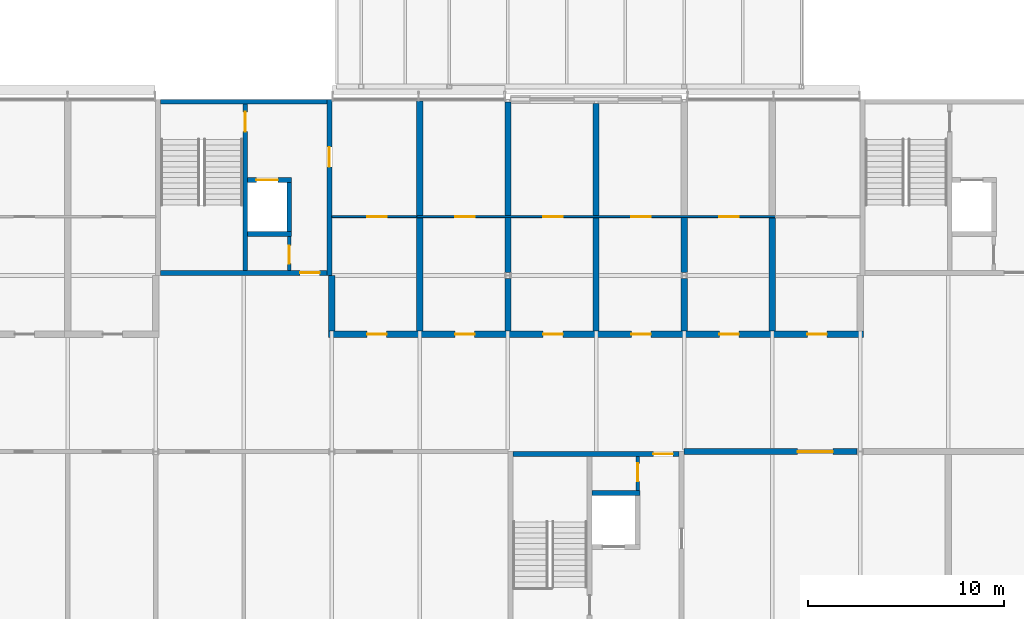
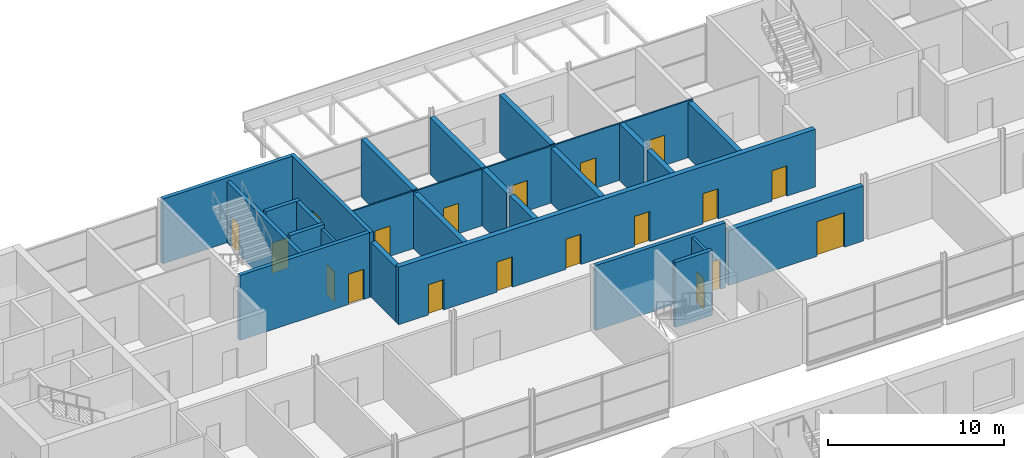
# One storey, part 78 of 97: 26 walls, 19 doors, 19 openings.
"""IFC4 building model written with IfcOpenShell, lengths in metres."""

from ifc_helpers import new_model, si_unit, direction, frame, frame_2d, origin, place, context, subcontext, project, spatial, rectangle, extrude, material, layer, layer_set, type_object, element, fill, save


model = new_model("IFC4")

# Units and contexts
model_context = context("Model", 3, precision=1e-05, world=origin(), true_north=direction((0.0, 1.0)))
body_context = subcontext(model_context, "Body", "Model", "MODEL_VIEW")
ifc_project = project(units=[si_unit("LENGTHUNIT", "METRE"), si_unit("AREAUNIT", "SQUARE_METRE"), si_unit("VOLUMEUNIT", "CUBIC_METRE"), si_unit("PLANEANGLEUNIT", "RADIAN"), si_unit("MASSUNIT", "GRAM", prefix="KILO")], contexts=[model_context])

# Site, building, storey
site_placement = place(None, origin())
site = spatial("IfcSite", under=ifc_project, at=site_placement, CompositionType="ELEMENT")
building_placement = place(site_placement, origin())
building = spatial("IfcBuilding", under=site, at=building_placement, Name="Corbel Yard City Hall", CompositionType="ELEMENT")
storey_placement = place(building_placement, frame((0.0, 0.0, 6.0)))
storey = spatial("IfcBuildingStorey", under=building, at=storey_placement, Name="L01", CompositionType="ELEMENT", Elevation=6.0)

# Wall, opening, door
ifc_material_1 = material(Name="Concrete N50 (50 MPa)", Category="concrete")
ifc_layer_1 = layer(ifc_material_1, 0.25)
ifc_layer_set_1 = layer_set([ifc_layer_1], Name="Concrete N50 (50 MPa)")
wall_type_1 = type_object("IfcWallType", Name="Core cell wall 250", PredefinedType="SHEAR", material=ifc_layer_set_1)
wall_1_placement = place(storey_placement, frame((71.875, 108.0, 0.0), z_axis=(0.0, 0.0, 1.0), x_axis=(0.0, 1.0, 0.0)))
wall_1 = element("IfcWall", 1, at=wall_1_placement, inside=storey, type_object=wall_type_1, Name="Core PC-N1 east wall", PredefinedType="SHEAR", context=body_context, shape_type="SweptSolid", body=[
    extrude(rectangle(XDim=9.0, YDim=0.25, at=frame_2d((4.5, 0.0))), origin(), (0.0, 0.0, 1.0), 4.5),
])
opening_1_placement = place(wall_1_placement, frame((5.550048828125, 0.0, 0.0)))
opening_1 = element("IfcOpeningElement", 2, at=opening_1_placement, cuts=wall_1, Name="Opening L01-154", PredefinedType="OPENING", context=body_context, shape_type="SweptSolid", body=[
    extrude(rectangle(XDim=1.0, YDim=2.10009765625, at=frame_2d((0.5, 1.050048828125))), frame((0.0, 0.135009765625, 0.0), z_axis=(0.0, -1.0, 0.0), x_axis=(1.0, 0.0, 0.0)), (0.0, 0.0, 1.0), 0.27001953125),
])
ifc_material_2 = material(Name="Steel Grade G250", Category="steel")
door_type_1 = type_object("IfcDoorType", Name="FS1", OperationType="SINGLE_SWING_LEFT", PredefinedType="DOOR", material=ifc_material_2)
door_1_placement = place(opening_1_placement, frame((1.0, 0.0, 0.0), z_axis=(0.0, 0.0, 1.0), x_axis=(-1.0, 0.0, 0.0)))
door_1 = element("IfcDoor", 3, at=door_1_placement, inside=storey, type_object=door_type_1, Name="Door Lift Lobby", OperationType="SINGLE_SWING_RIGHT", OverallHeight=2.10009765625, OverallWidth=1.0, PredefinedType="DOOR", context=body_context, shape_type="SweptSolid", body=[
    extrude(rectangle(XDim=1.0, YDim=2.10009765625, at=frame_2d((0.5, 1.050048828125))), frame((0.0, 0.02490234375, 0.0), z_axis=(0.0, -1.0, 0.0), x_axis=(1.0, 0.0, 0.0)), (0.0, 0.0, 1.0), 0.050048828125),
])
fill(opening_1, door_1)

wall_2_placement = place(storey_placement, frame((63.25, 108.125, 0.0), z_axis=(0.0, 0.0, 1.0), x_axis=(1.0, 0.0, 0.0)))
wall_2 = element("IfcWall", 4, at=wall_2_placement, inside=storey, type_object=wall_type_1, Name="Core PC-N1 south wall", PredefinedType="SHEAR", context=body_context, shape_type="SweptSolid", body=[
    extrude(rectangle(XDim=8.5, YDim=0.25, at=frame_2d((4.25, 0.0))), origin(), (0.0, 0.0, 1.0), 4.5),
])
opening_2_placement = place(wall_2_placement, frame((7.125, 0.0, 0.0)))
opening_2 = element("IfcOpeningElement", 5, at=opening_2_placement, cuts=wall_2, Name="Opening L01-153", PredefinedType="OPENING", context=body_context, shape_type="SweptSolid", body=[
    extrude(rectangle(XDim=1.0, YDim=2.10009765625, at=frame_2d((0.5, 1.050048828125))), frame((0.0, 0.135009765625, 0.0), z_axis=(0.0, -1.0, 0.0), x_axis=(1.0, 0.0, 0.0)), (0.0, 0.0, 1.0), 0.27001953125),
])
door_2_placement = place(opening_2_placement, origin())
door_2 = element("IfcDoor", 6, at=door_2_placement, inside=storey, type_object=door_type_1, Name="Door Lift Lobby", OperationType="SINGLE_SWING_RIGHT", OverallHeight=2.10009765625, OverallWidth=1.0, PredefinedType="DOOR", context=body_context, shape_type="SweptSolid", body=[
    extrude(rectangle(XDim=1.0, YDim=2.10009765625, at=frame_2d((0.5, 1.050048828125))), frame((0.0, 0.02490234375, 0.0), z_axis=(0.0, -1.0, 0.0), x_axis=(1.0, 0.0, 0.0)), (0.0, 0.0, 1.0), 0.050048828125),
])
fill(opening_2, door_2)

# Wall
wall_3_placement = place(storey_placement, frame((63.25, 116.875, 0.0), z_axis=(0.0, 0.0, 1.0), x_axis=(1.0, 0.0, 0.0)))
element("IfcWall", 7, at=wall_3_placement, inside=storey, type_object=wall_type_1, Name="Core PC-N1 north wall", PredefinedType="SHEAR", context=body_context, shape_type="SweptSolid", body=[
    extrude(rectangle(XDim=8.5, YDim=0.25, at=frame_2d((4.25, 0.0))), origin(), (0.0, 0.0, 1.0), 4.5),
])

# Wall, opening, door
wall_4_placement = place(storey_placement, frame((81.25, 98.875, 0.0), z_axis=(0.0, 0.0, 1.0), x_axis=(1.0, 0.0, 0.0)))
wall_4 = element("IfcWall", 8, at=wall_4_placement, inside=storey, type_object=wall_type_1, Name="Core PC-N5 north wall", PredefinedType="SHEAR", context=body_context, shape_type="SweptSolid", body=[
    extrude(rectangle(XDim=8.5, YDim=0.25, at=frame_2d((4.25, 0.0))), origin(), (0.0, 0.0, 1.0), 4.5),
])
opening_3_placement = place(wall_4_placement, frame((7.175048828125, 0.0, 0.0)))
opening_3 = element("IfcOpeningElement", 9, at=opening_3_placement, cuts=wall_4, Name="Opening L01-161", PredefinedType="OPENING", context=body_context, shape_type="SweptSolid", body=[
    extrude(rectangle(XDim=1.0, YDim=2.10009765625, at=frame_2d((0.5, 1.050048828125))), frame((0.0, 0.135009765625, 0.0), z_axis=(0.0, -1.0, 0.0), x_axis=(1.0, 0.0, 0.0)), (0.0, 0.0, 1.0), 0.27001953125),
])
door_3_placement = place(opening_3_placement, frame((1.0, 0.0, 0.0), z_axis=(0.0, 0.0, 1.0), x_axis=(-1.0, 0.0, 0.0)))
door_3 = element("IfcDoor", 10, at=door_3_placement, inside=storey, type_object=door_type_1, Name="Door Lift Lobby", OperationType="SINGLE_SWING_LEFT", OverallHeight=2.10009765625, OverallWidth=1.0, PredefinedType="DOOR", context=body_context, shape_type="SweptSolid", body=[
    extrude(rectangle(XDim=1.0, YDim=2.10009765625, at=frame_2d((0.5, 1.050048828125))), frame((0.0, 0.02490234375, 0.0), z_axis=(0.0, -1.0, 0.0), x_axis=(1.0, 0.0, 0.0)), (0.0, 0.0, 1.0), 0.050048828125),
])
fill(opening_3, door_3)

ifc_material_3 = material(Name="Concrete N40 (40 MPa)", Category="concrete")
ifc_layer_2 = layer(ifc_material_3, 0.25)
ifc_layer_set_2 = layer_set([ifc_layer_2], Name="Concrete N40 (40 MPa)")
wall_type_2 = type_object("IfcWallType", Name="IW2", PredefinedType="SOLIDWALL", material=ifc_layer_set_2)
wall_5_placement = place(storey_placement, frame((67.574951171875, 116.75, 0.0), z_axis=(0.0, 0.0, 1.0), x_axis=(0.0, -1.0, 0.0)))
wall_5 = element("IfcWall", 11, at=wall_5_placement, inside=storey, type_object=wall_type_2, Name="Stair enclosure wall", PredefinedType="SOLIDWALL", context=body_context, shape_type="SweptSolid", body=[
    extrude(rectangle(XDim=8.5, YDim=0.25, at=frame_2d((4.25, 0.0))), origin(), (0.0, 0.0, 1.0), 4.25),
])
opening_4_placement = place(wall_5_placement, frame((0.39990234375, 0.0, 0.0)))
opening_4 = element("IfcOpeningElement", 12, at=opening_4_placement, cuts=wall_5, Name="Opening L01-141", PredefinedType="OPENING", context=body_context, shape_type="SweptSolid", body=[
    extrude(rectangle(XDim=1.0, YDim=2.10009765625, at=frame_2d((0.5, 1.050048828125))), frame((0.0, 0.135009765625, 0.0), z_axis=(0.0, -1.0, 0.0), x_axis=(1.0, 0.0, 0.0)), (0.0, 0.0, 1.0), 0.27001953125),
])
door_4_placement = place(opening_4_placement, frame((1.0, 0.0, 0.0), z_axis=(0.0, 0.0, 1.0), x_axis=(-1.0, 0.0, 0.0)))
door_4 = element("IfcDoor", 13, at=door_4_placement, inside=storey, type_object=door_type_1, Name="Door Exit Stair 16", OperationType="SINGLE_SWING_RIGHT", OverallHeight=2.10009765625, OverallWidth=1.0, PredefinedType="DOOR", context=body_context, shape_type="SweptSolid", body=[
    extrude(rectangle(XDim=1.0, YDim=2.10009765625, at=frame_2d((0.5, 1.050048828125))), frame((0.0, 0.02490234375, 0.0), z_axis=(0.0, -1.0, 0.0), x_axis=(1.0, 0.0, 0.0)), (0.0, 0.0, 1.0), 0.050048828125),
])
fill(opening_4, door_4)

# Wall
wall_6_placement = place(storey_placement, frame((67.699951171875, 110.125, 0.0), z_axis=(0.0, 0.0, 1.0), x_axis=(1.0, 0.0, 0.0)))
element("IfcWall", 14, at=wall_6_placement, inside=storey, type_object=wall_type_2, Name="Lift LP16 shaft wall", PredefinedType="SOLIDWALL", context=body_context, shape_type="SweptSolid", body=[
    extrude(rectangle(XDim=2.25, YDim=0.25, at=frame_2d((1.125, 0.0))), origin(), (0.0, 0.0, 1.0), 4.5),
])

# Wall, opening, door
wall_7_placement = place(storey_placement, frame((67.699951171875, 112.875, 0.0), z_axis=(0.0, 0.0, 1.0), x_axis=(1.0, 0.0, 0.0)))
wall_7 = element("IfcWall", 15, at=wall_7_placement, inside=storey, type_object=wall_type_2, Name="Lift LP16 shaft wall", PredefinedType="SOLIDWALL", context=body_context, shape_type="SweptSolid", body=[
    extrude(rectangle(XDim=2.25, YDim=0.25, at=frame_2d((1.125, 0.0))), origin(), (0.0, 0.0, 1.0), 4.5),
])
opening_5_placement = place(wall_7_placement, frame((0.449951171875, 0.0, 0.0)))
opening_5 = element("IfcOpeningElement", 16, at=opening_5_placement, cuts=wall_7, Name="Opening L01-135", PredefinedType="OPENING", context=body_context, shape_type="SweptSolid", body=[
    extrude(rectangle(XDim=1.10009765625, YDim=2.10009765625, at=frame_2d((0.550048828125, 1.050048828125))), frame((0.0, 0.135009765625, 0.0), z_axis=(0.0, -1.0, 0.0), x_axis=(1.0, 0.0, 0.0)), (0.0, 0.0, 1.0), 0.27001953125),
])
ifc_material_4 = material(Name="Stainless steel Grade 316", Category="steel")
door_type_2 = type_object("IfcDoorType", Name="LD1", OperationType="DOUBLE_DOOR_SLIDING", PredefinedType="DOOR", material=ifc_material_4)
door_5_placement = place(opening_5_placement, origin())
door_5 = element("IfcDoor", 17, at=door_5_placement, inside=storey, type_object=door_type_2, Name="Lift LP16 landing door", OperationType="DOUBLE_DOOR_SLIDING", OverallHeight=2.10009765625, OverallWidth=1.10009765625, PredefinedType="DOOR", context=body_context, shape_type="SweptSolid", body=[
    extrude(rectangle(XDim=1.10009765625, YDim=2.10009765625, at=frame_2d((0.550048828125, 1.050048828125))), frame((0.0, 0.02490234375, 0.0), z_axis=(0.0, -1.0, 0.0), x_axis=(1.0, 0.0, 0.0)), (0.0, 0.0, 1.0), 0.050048828125),
])
fill(opening_5, door_5)

# Walls
wall_8_placement = place(storey_placement, frame((69.824951171875, 110.25, 0.0), z_axis=(0.0, 0.0, 1.0), x_axis=(0.0, 1.0, 0.0)))
element("IfcWall", 18, at=wall_8_placement, inside=storey, type_object=wall_type_2, Name="Lift LP16 shaft wall", PredefinedType="SOLIDWALL", context=body_context, shape_type="SweptSolid", body=[
    extrude(rectangle(XDim=2.5, YDim=0.25, at=frame_2d((1.25, 0.0))), origin(), (0.0, 0.0, 1.0), 4.5),
])
wall_9_placement = place(storey_placement, frame((85.300048828125, 96.875, 0.0), z_axis=(0.0, 0.0, 1.0), x_axis=(1.0, 0.0, 0.0)))
element("IfcWall", 19, at=wall_9_placement, inside=storey, type_object=wall_type_2, Name="Lift LP20 shaft wall", PredefinedType="SOLIDWALL", context=body_context, shape_type="SweptSolid", body=[
    extrude(rectangle(XDim=2.449951171875, YDim=0.25, at=frame_2d((1.22509765625, 0.0))), origin(), (0.0, 0.0, 1.0), 4.5),
])

# Wall, opening, door
ifc_material_5 = material(Name="Gypsum plasterboard", Category="gypsum")
ifc_layer_3 = layer(ifc_material_5, 0.031982421875)
ifc_material_6 = material(Name="Steel Grade G550 (550 MPa yield)", Category="steel")
ifc_layer_4 = layer(ifc_material_6, 0.260986328125)
ifc_layer_5 = layer(ifc_material_5, 0.031982421875)
ifc_layer_set_3 = layer_set([ifc_layer_3, ifc_layer_4, ifc_layer_5], Name="Steel Grade G550 (550 MPa yield)")
wall_type_3 = type_object("IfcWallType", Name="PT20", PredefinedType="PARTITIONING", material=ifc_layer_set_3)
wall_10_placement = place(storey_placement, frame((90.0, 99.0, 0.0), z_axis=(0.0, 0.0, 1.0), x_axis=(1.0, 0.0, 0.0)))
wall_10 = element("IfcWall", 20, at=wall_10_placement, inside=storey, type_object=wall_type_3, Name="Acoustic partition", PredefinedType="PARTITIONING", context=body_context, shape_type="SweptSolid", body=[
    extrude(rectangle(XDim=8.842529296875, YDim=0.324951171875, at=frame_2d((4.42138671875, 0.0))), origin(), (0.0, 0.0, 1.0), 3.822021484375),
])
opening_6_placement = place(wall_10_placement, frame((5.800048828125, 0.0, 0.0)))
opening_6 = element("IfcOpeningElement", 21, at=opening_6_placement, cuts=wall_10, Name="Opening L01-181", PredefinedType="OPENING", context=body_context, shape_type="SweptSolid", body=[
    extrude(rectangle(XDim=1.800048828125, YDim=2.39990234375, at=frame_2d((0.89990234375, 1.199951171875))), frame((0.0, 0.17236328125, 0.0), z_axis=(0.0, -1.0, 0.0), x_axis=(1.0, 0.0, 0.0)), (0.0, 0.0, 1.0), 0.344970703125),
])
ifc_material_7 = material(Name="Timber", Category="wood")
door_type_3 = type_object("IfcDoorType", Name="D38", OperationType="DOUBLE_DOOR_SINGLE_SWING", PredefinedType="DOOR", material=ifc_material_7)
door_6_placement = place(opening_6_placement, origin())
door_6 = element("IfcDoor", 22, at=door_6_placement, inside=storey, type_object=door_type_3, Name="Door Committee Room 14", OperationType="DOUBLE_DOOR_SINGLE_SWING", OverallHeight=2.39990234375, OverallWidth=1.800048828125, PredefinedType="DOOR", context=body_context, shape_type="SweptSolid", body=[
    extrude(rectangle(XDim=1.800048828125, YDim=2.39990234375, at=frame_2d((0.89990234375, 1.199951171875))), frame((0.0, 0.02490234375, 0.0), z_axis=(0.0, -1.0, 0.0), x_axis=(1.0, 0.0, 0.0)), (0.0, 0.0, 1.0), 0.050048828125),
])
fill(opening_6, door_6)

# Wall, openings, doors
wall_11_placement = place(storey_placement, frame((71.83740234375, 105.0, 0.0), z_axis=(0.0, 0.0, 1.0), x_axis=(1.0, 0.0, 0.0)))
wall_11 = element("IfcWall", 23, at=wall_11_placement, inside=storey, type_object=wall_type_3, Name="Acoustic partition", PredefinedType="PARTITIONING", context=body_context, shape_type="SweptSolid", body=[
    extrude(rectangle(XDim=27.3251953125, YDim=0.324951171875, at=frame_2d((13.66259765625, 0.0))), origin(), (0.0, 0.0, 1.0), 3.993896484375),
])
opening_7_placement = place(wall_11_placement, frame((1.96240234375, 0.0, 0.0)))
opening_7 = element("IfcOpeningElement", 24, at=opening_7_placement, cuts=wall_11, Name="Opening L01-190", PredefinedType="OPENING", context=body_context, shape_type="SweptSolid", body=[
    extrude(rectangle(XDim=1.0, YDim=2.10009765625, at=frame_2d((0.5, 1.050048828125))), frame((0.0, 0.17236328125, 0.0), z_axis=(0.0, -1.0, 0.0), x_axis=(1.0, 0.0, 0.0)), (0.0, 0.0, 1.0), 0.344970703125),
])
opening_8_placement = place(wall_11_placement, frame((6.46240234375, 0.0, 0.0)))
opening_8 = element("IfcOpeningElement", 25, at=opening_8_placement, cuts=wall_11, Name="Opening L01-192", PredefinedType="OPENING", context=body_context, shape_type="SweptSolid", body=[
    extrude(rectangle(XDim=1.0, YDim=2.10009765625, at=frame_2d((0.5, 1.050048828125))), frame((0.0, 0.17236328125, 0.0), z_axis=(0.0, -1.0, 0.0), x_axis=(1.0, 0.0, 0.0)), (0.0, 0.0, 1.0), 0.344970703125),
])
opening_9_placement = place(wall_11_placement, frame((10.96240234375, 0.0, 0.0)))
opening_9 = element("IfcOpeningElement", 26, at=opening_9_placement, cuts=wall_11, Name="Opening L01-194", PredefinedType="OPENING", context=body_context, shape_type="SweptSolid", body=[
    extrude(rectangle(XDim=1.0, YDim=2.10009765625, at=frame_2d((0.5, 1.050048828125))), frame((0.0, 0.17236328125, 0.0), z_axis=(0.0, -1.0, 0.0), x_axis=(1.0, 0.0, 0.0)), (0.0, 0.0, 1.0), 0.344970703125),
])
opening_10_placement = place(wall_11_placement, frame((15.46240234375, 0.0, 0.0)))
opening_10 = element("IfcOpeningElement", 27, at=opening_10_placement, cuts=wall_11, Name="Opening L01-196", PredefinedType="OPENING", context=body_context, shape_type="SweptSolid", body=[
    extrude(rectangle(XDim=1.0, YDim=2.10009765625, at=frame_2d((0.5, 1.050048828125))), frame((0.0, 0.17236328125, 0.0), z_axis=(0.0, -1.0, 0.0), x_axis=(1.0, 0.0, 0.0)), (0.0, 0.0, 1.0), 0.344970703125),
])
opening_11_placement = place(wall_11_placement, frame((19.96240234375, 0.0, 0.0)))
opening_11 = element("IfcOpeningElement", 28, at=opening_11_placement, cuts=wall_11, Name="Opening L01-198", PredefinedType="OPENING", context=body_context, shape_type="SweptSolid", body=[
    extrude(rectangle(XDim=1.0, YDim=2.10009765625, at=frame_2d((0.5, 1.050048828125))), frame((0.0, 0.17236328125, 0.0), z_axis=(0.0, -1.0, 0.0), x_axis=(1.0, 0.0, 0.0)), (0.0, 0.0, 1.0), 0.344970703125),
])
opening_12_placement = place(wall_11_placement, frame((24.46240234375, 0.0, 0.0)))
opening_12 = element("IfcOpeningElement", 29, at=opening_12_placement, cuts=wall_11, Name="Opening L01-200", PredefinedType="OPENING", context=body_context, shape_type="SweptSolid", body=[
    extrude(rectangle(XDim=1.0, YDim=2.10009765625, at=frame_2d((0.5, 1.050048828125))), frame((0.0, 0.17236328125, 0.0), z_axis=(0.0, -1.0, 0.0), x_axis=(1.0, 0.0, 0.0)), (0.0, 0.0, 1.0), 0.344970703125),
])
door_type_4 = type_object("IfcDoorType", Name="D1", OperationType="SINGLE_SWING_LEFT", PredefinedType="DOOR", material=ifc_material_7)
door_7_placement = place(opening_7_placement, origin())
door_7 = element("IfcDoor", 30, at=door_7_placement, inside=storey, type_object=door_type_4, Name="Door Councillor's Assistant Room 03", OperationType="SINGLE_SWING_RIGHT", OverallHeight=2.10009765625, OverallWidth=1.0, PredefinedType="DOOR", context=body_context, shape_type="SweptSolid", body=[
    extrude(rectangle(XDim=1.0, YDim=2.10009765625, at=frame_2d((0.5, 1.050048828125))), frame((0.0, 0.02490234375, 0.0), z_axis=(0.0, -1.0, 0.0), x_axis=(1.0, 0.0, 0.0)), (0.0, 0.0, 1.0), 0.050048828125),
])
fill(opening_7, door_7)
door_8_placement = place(opening_8_placement, origin())
door_8 = element("IfcDoor", 31, at=door_8_placement, inside=storey, type_object=door_type_4, Name="Door Councillor's Assistant Room 04", OperationType="SINGLE_SWING_RIGHT", OverallHeight=2.10009765625, OverallWidth=1.0, PredefinedType="DOOR", context=body_context, shape_type="SweptSolid", body=[
    extrude(rectangle(XDim=1.0, YDim=2.10009765625, at=frame_2d((0.5, 1.050048828125))), frame((0.0, 0.02490234375, 0.0), z_axis=(0.0, -1.0, 0.0), x_axis=(1.0, 0.0, 0.0)), (0.0, 0.0, 1.0), 0.050048828125),
])
fill(opening_8, door_8)
door_9_placement = place(opening_9_placement, origin())
door_9 = element("IfcDoor", 32, at=door_9_placement, inside=storey, type_object=door_type_4, Name="Door Councillor's Assistant Room 05", OperationType="SINGLE_SWING_RIGHT", OverallHeight=2.10009765625, OverallWidth=1.0, PredefinedType="DOOR", context=body_context, shape_type="SweptSolid", body=[
    extrude(rectangle(XDim=1.0, YDim=2.10009765625, at=frame_2d((0.5, 1.050048828125))), frame((0.0, 0.02490234375, 0.0), z_axis=(0.0, -1.0, 0.0), x_axis=(1.0, 0.0, 0.0)), (0.0, 0.0, 1.0), 0.050048828125),
])
fill(opening_9, door_9)
door_10_placement = place(opening_10_placement, origin())
door_10 = element("IfcDoor", 33, at=door_10_placement, inside=storey, type_object=door_type_4, Name="Door Councillor's Assistant Room 06", OperationType="SINGLE_SWING_RIGHT", OverallHeight=2.10009765625, OverallWidth=1.0, PredefinedType="DOOR", context=body_context, shape_type="SweptSolid", body=[
    extrude(rectangle(XDim=1.0, YDim=2.10009765625, at=frame_2d((0.5, 1.050048828125))), frame((0.0, 0.02490234375, 0.0), z_axis=(0.0, -1.0, 0.0), x_axis=(1.0, 0.0, 0.0)), (0.0, 0.0, 1.0), 0.050048828125),
])
fill(opening_10, door_10)
door_11_placement = place(opening_11_placement, origin())
door_11 = element("IfcDoor", 34, at=door_11_placement, inside=storey, type_object=door_type_4, Name="Door Councillor's Assistant Room 07", OperationType="SINGLE_SWING_RIGHT", OverallHeight=2.10009765625, OverallWidth=1.0, PredefinedType="DOOR", context=body_context, shape_type="SweptSolid", body=[
    extrude(rectangle(XDim=1.0, YDim=2.10009765625, at=frame_2d((0.5, 1.050048828125))), frame((0.0, 0.02490234375, 0.0), z_axis=(0.0, -1.0, 0.0), x_axis=(1.0, 0.0, 0.0)), (0.0, 0.0, 1.0), 0.050048828125),
])
fill(opening_11, door_11)
door_12_placement = place(opening_12_placement, origin())
door_12 = element("IfcDoor", 35, at=door_12_placement, inside=storey, type_object=door_type_4, Name="Door Councillor's Assistant Room 08", OperationType="SINGLE_SWING_RIGHT", OverallHeight=2.10009765625, OverallWidth=1.0, PredefinedType="DOOR", context=body_context, shape_type="SweptSolid", body=[
    extrude(rectangle(XDim=1.0, YDim=2.10009765625, at=frame_2d((0.5, 1.050048828125))), frame((0.0, 0.02490234375, 0.0), z_axis=(0.0, -1.0, 0.0), x_axis=(1.0, 0.0, 0.0)), (0.0, 0.0, 1.0), 0.050048828125),
])
fill(opening_12, door_12)

# Walls
wall_12_placement = place(storey_placement, frame((72.0, 105.16259765625, 0.0), z_axis=(0.0, 0.0, 1.0), x_axis=(0.0, 1.0, 0.0)))
element("IfcWall", 36, at=wall_12_placement, inside=storey, type_object=wall_type_3, Name="Acoustic partition", PredefinedType="PARTITIONING", context=body_context, shape_type="SweptSolid", body=[
    extrude(rectangle(XDim=2.83740234375, YDim=0.324951171875, at=frame_2d((1.418701171875, 0.0))), origin(), (0.0, 0.0, 1.0), 3.822021484375),
])
wall_13_placement = place(storey_placement, frame((76.5, 105.16259765625, 0.0), z_axis=(0.0, 0.0, 1.0), x_axis=(0.0, 1.0, 0.0)))
element("IfcWall", 37, at=wall_13_placement, inside=storey, type_object=wall_type_3, Name="Acoustic partition", PredefinedType="PARTITIONING", context=body_context, shape_type="SweptSolid", body=[
    extrude(rectangle(XDim=5.787353515625, YDim=0.324951171875, at=frame_2d((2.8935546875, 0.0))), origin(), (0.0, 0.0, 1.0), 3.822021484375),
])
wall_14_placement = place(storey_placement, frame((76.5, 111.050048828125, 0.0), z_axis=(0.0, 0.0, 1.0), x_axis=(0.0, 1.0, 0.0)))
element("IfcWall", 38, at=wall_14_placement, inside=storey, type_object=wall_type_3, Name="Acoustic partition", PredefinedType="PARTITIONING", context=body_context, shape_type="SweptSolid", body=[
    extrude(rectangle(XDim=5.849853515625, YDim=0.324951171875, at=frame_2d((2.9248046875, 0.0))), origin(), (0.0, 0.0, 1.0), 3.993896484375),
])
wall_15_placement = place(storey_placement, frame((81.0, 105.16259765625, 0.0), z_axis=(0.0, 0.0, 1.0), x_axis=(0.0, 1.0, 0.0)))
element("IfcWall", 39, at=wall_15_placement, inside=storey, type_object=wall_type_3, Name="Acoustic partition", PredefinedType="PARTITIONING", context=body_context, shape_type="SweptSolid", body=[
    extrude(rectangle(XDim=2.679931640625, YDim=0.324951171875, at=frame_2d((1.33984375, 0.0))), origin(), (0.0, 0.0, 1.0), 3.993896484375),
])
wall_16_placement = place(storey_placement, frame((81.0, 108.157470703125, 0.0), z_axis=(0.0, 0.0, 1.0), x_axis=(0.0, 1.0, 0.0)))
element("IfcWall", 40, at=wall_16_placement, inside=storey, type_object=wall_type_3, Name="Acoustic partition", PredefinedType="PARTITIONING", context=body_context, shape_type="SweptSolid", body=[
    extrude(rectangle(XDim=2.79248046875, YDim=0.324951171875, at=frame_2d((1.396240234375, 0.0))), origin(), (0.0, 0.0, 1.0), 3.947021484375),
])
wall_17_placement = place(storey_placement, frame((81.0, 111.050048828125, 0.0), z_axis=(0.0, 0.0, 1.0), x_axis=(0.0, 1.0, 0.0)))
element("IfcWall", 41, at=wall_17_placement, inside=storey, type_object=wall_type_3, Name="Acoustic partition", PredefinedType="PARTITIONING", context=body_context, shape_type="SweptSolid", body=[
    extrude(rectangle(XDim=5.820068359375, YDim=0.324951171875, at=frame_2d((2.91015625, 0.0))), origin(), (0.0, 0.0, 1.0), 3.947021484375),
])
wall_18_placement = place(storey_placement, frame((85.5, 105.16259765625, 0.0), z_axis=(0.0, 0.0, 1.0), x_axis=(0.0, 1.0, 0.0)))
element("IfcWall", 42, at=wall_18_placement, inside=storey, type_object=wall_type_3, Name="Acoustic partition", PredefinedType="PARTITIONING", context=body_context, shape_type="SweptSolid", body=[
    extrude(rectangle(XDim=5.787353515625, YDim=0.324951171875, at=frame_2d((2.8935546875, 0.0))), origin(), (0.0, 0.0, 1.0), 3.822021484375),
])
wall_19_placement = place(storey_placement, frame((85.5, 111.050048828125, 0.0), z_axis=(0.0, 0.0, 1.0), x_axis=(0.0, 1.0, 0.0)))
element("IfcWall", 43, at=wall_19_placement, inside=storey, type_object=wall_type_3, Name="Acoustic partition", PredefinedType="PARTITIONING", context=body_context, shape_type="SweptSolid", body=[
    extrude(rectangle(XDim=5.724853515625, YDim=0.324951171875, at=frame_2d((2.8623046875, 0.0))), origin(), (0.0, 0.0, 1.0), 3.993896484375),
])
wall_20_placement = place(storey_placement, frame((90.0, 105.16259765625, 0.0), z_axis=(0.0, 0.0, 1.0), x_axis=(0.0, 1.0, 0.0)))
element("IfcWall", 44, at=wall_20_placement, inside=storey, type_object=wall_type_3, Name="Acoustic partition", PredefinedType="PARTITIONING", context=body_context, shape_type="SweptSolid", body=[
    extrude(rectangle(XDim=2.679931640625, YDim=0.324951171875, at=frame_2d((1.33984375, 0.0))), origin(), (0.0, 0.0, 1.0), 3.993896484375),
])
wall_21_placement = place(storey_placement, frame((90.0, 108.157470703125, 0.0), z_axis=(0.0, 0.0, 1.0), x_axis=(0.0, 1.0, 0.0)))
element("IfcWall", 45, at=wall_21_placement, inside=storey, type_object=wall_type_3, Name="Acoustic partition", PredefinedType="PARTITIONING", context=body_context, shape_type="SweptSolid", body=[
    extrude(rectangle(XDim=2.79248046875, YDim=0.324951171875, at=frame_2d((1.396240234375, 0.0))), origin(), (0.0, 0.0, 1.0), 3.947021484375),
])
wall_22_placement = place(storey_placement, frame((94.5, 105.16259765625, 0.0), z_axis=(0.0, 0.0, 1.0), x_axis=(0.0, 1.0, 0.0)))
element("IfcWall", 46, at=wall_22_placement, inside=storey, type_object=wall_type_3, Name="Acoustic partition", PredefinedType="PARTITIONING", context=body_context, shape_type="SweptSolid", body=[
    extrude(rectangle(XDim=5.787353515625, YDim=0.324951171875, at=frame_2d((2.8935546875, 0.0))), origin(), (0.0, 0.0, 1.0), 3.822021484375),
])

# Wall, opening, door
ifc_layer_6 = layer(ifc_material_5, 0.01806640625)
ifc_layer_7 = layer(ifc_material_6, 0.06396484375)
ifc_layer_8 = layer(ifc_material_5, 0.01806640625)
ifc_layer_set_4 = layer_set([ifc_layer_6, ifc_layer_7, ifc_layer_8], Name="Steel Grade G550 (550 MPa yield)")
wall_type_4 = type_object("IfcWallType", Name="PT23", PredefinedType="PARTITIONING", material=ifc_layer_set_4)
wall_23_placement = place(storey_placement, frame((72.0, 111.0, 0.0), z_axis=(0.0, 0.0, 1.0), x_axis=(1.0, 0.0, 0.0)))
wall_23 = element("IfcWall", 47, at=wall_23_placement, inside=storey, type_object=wall_type_4, Name="Light partition", PredefinedType="PARTITIONING", context=body_context, shape_type="SweptSolid", body=[
    extrude(rectangle(XDim=4.33740234375, YDim=0.10009765625, at=frame_2d((2.168701171875, 0.0))), origin(), (0.0, 0.0, 1.0), 3.993896484375),
])
opening_13_placement = place(wall_23_placement, frame((1.800048828125, 0.0, 0.0)))
opening_13 = element("IfcOpeningElement", 48, at=opening_13_placement, cuts=wall_23, Name="Opening L01-191", PredefinedType="OPENING", context=body_context, shape_type="SweptSolid", body=[
    extrude(rectangle(XDim=1.0, YDim=2.10009765625, at=frame_2d((0.5, 1.050048828125))), frame((0.0, 0.06005859375, 0.0), z_axis=(0.0, -1.0, 0.0), x_axis=(1.0, 0.0, 0.0)), (0.0, 0.0, 1.0), 0.1201171875),
])
door_13_placement = place(opening_13_placement, origin())
door_13 = element("IfcDoor", 49, at=door_13_placement, inside=storey, type_object=door_type_4, Name="Door Councillor's Office 03", OperationType="SINGLE_SWING_RIGHT", OverallHeight=2.10009765625, OverallWidth=1.0, PredefinedType="DOOR", context=body_context, shape_type="SweptSolid", body=[
    extrude(rectangle(XDim=1.0, YDim=2.10009765625, at=frame_2d((0.5, 1.050048828125))), frame((0.0, 0.02490234375, 0.0), z_axis=(0.0, -1.0, 0.0), x_axis=(1.0, 0.0, 0.0)), (0.0, 0.0, 1.0), 0.050048828125),
])
fill(opening_13, door_13)

# Wall, openings, doors
wall_24_placement = place(storey_placement, frame((76.33740234375, 111.0, 0.0), z_axis=(0.0, 0.0, 1.0), x_axis=(1.0, 0.0, 0.0)))
wall_24 = element("IfcWall", 50, at=wall_24_placement, inside=storey, type_object=wall_type_4, Name="Light partition", PredefinedType="PARTITIONING", context=body_context, shape_type="SweptSolid", body=[
    extrude(rectangle(XDim=18.3251953125, YDim=0.10009765625, at=frame_2d((9.16259765625, 0.0))), origin(), (0.0, 0.0, 1.0), 3.947021484375),
])
opening_14_placement = place(wall_24_placement, frame((1.96240234375, 0.0, 0.0)))
opening_14 = element("IfcOpeningElement", 51, at=opening_14_placement, cuts=wall_24, Name="Opening L01-193", PredefinedType="OPENING", context=body_context, shape_type="SweptSolid", body=[
    extrude(rectangle(XDim=1.0, YDim=2.10009765625, at=frame_2d((0.5, 1.050048828125))), frame((0.0, 0.06005859375, 0.0), z_axis=(0.0, -1.0, 0.0), x_axis=(1.0, 0.0, 0.0)), (0.0, 0.0, 1.0), 0.1201171875),
])
opening_15_placement = place(wall_24_placement, frame((6.46240234375, 0.0, 0.0)))
opening_15 = element("IfcOpeningElement", 52, at=opening_15_placement, cuts=wall_24, Name="Opening L01-195", PredefinedType="OPENING", context=body_context, shape_type="SweptSolid", body=[
    extrude(rectangle(XDim=1.0, YDim=2.10009765625, at=frame_2d((0.5, 1.050048828125))), frame((0.0, 0.06005859375, 0.0), z_axis=(0.0, -1.0, 0.0), x_axis=(1.0, 0.0, 0.0)), (0.0, 0.0, 1.0), 0.1201171875),
])
opening_16_placement = place(wall_24_placement, frame((10.96240234375, 0.0, 0.0)))
opening_16 = element("IfcOpeningElement", 53, at=opening_16_placement, cuts=wall_24, Name="Opening L01-197", PredefinedType="OPENING", context=body_context, shape_type="SweptSolid", body=[
    extrude(rectangle(XDim=1.0, YDim=2.10009765625, at=frame_2d((0.5, 1.050048828125))), frame((0.0, 0.06005859375, 0.0), z_axis=(0.0, -1.0, 0.0), x_axis=(1.0, 0.0, 0.0)), (0.0, 0.0, 1.0), 0.1201171875),
])
opening_17_placement = place(wall_24_placement, frame((15.46240234375, 0.0, 0.0)))
opening_17 = element("IfcOpeningElement", 54, at=opening_17_placement, cuts=wall_24, Name="Opening L01-199", PredefinedType="OPENING", context=body_context, shape_type="SweptSolid", body=[
    extrude(rectangle(XDim=1.0, YDim=2.10009765625, at=frame_2d((0.5, 1.050048828125))), frame((0.0, 0.06005859375, 0.0), z_axis=(0.0, -1.0, 0.0), x_axis=(1.0, 0.0, 0.0)), (0.0, 0.0, 1.0), 0.1201171875),
])
door_14_placement = place(opening_14_placement, origin())
door_14 = element("IfcDoor", 55, at=door_14_placement, inside=storey, type_object=door_type_4, Name="Door Councillor's Office 04", OperationType="SINGLE_SWING_RIGHT", OverallHeight=2.10009765625, OverallWidth=1.0, PredefinedType="DOOR", context=body_context, shape_type="SweptSolid", body=[
    extrude(rectangle(XDim=1.0, YDim=2.10009765625, at=frame_2d((0.5, 1.050048828125))), frame((0.0, 0.02490234375, 0.0), z_axis=(0.0, -1.0, 0.0), x_axis=(1.0, 0.0, 0.0)), (0.0, 0.0, 1.0), 0.050048828125),
])
fill(opening_14, door_14)
door_15_placement = place(opening_15_placement, origin())
door_15 = element("IfcDoor", 56, at=door_15_placement, inside=storey, type_object=door_type_4, Name="Door Councillor's Office 05", OperationType="SINGLE_SWING_RIGHT", OverallHeight=2.10009765625, OverallWidth=1.0, PredefinedType="DOOR", context=body_context, shape_type="SweptSolid", body=[
    extrude(rectangle(XDim=1.0, YDim=2.10009765625, at=frame_2d((0.5, 1.050048828125))), frame((0.0, 0.02490234375, 0.0), z_axis=(0.0, -1.0, 0.0), x_axis=(1.0, 0.0, 0.0)), (0.0, 0.0, 1.0), 0.050048828125),
])
fill(opening_15, door_15)
door_16_placement = place(opening_16_placement, origin())
door_16 = element("IfcDoor", 57, at=door_16_placement, inside=storey, type_object=door_type_4, Name="Door Councillor's Office 06", OperationType="SINGLE_SWING_RIGHT", OverallHeight=2.10009765625, OverallWidth=1.0, PredefinedType="DOOR", context=body_context, shape_type="SweptSolid", body=[
    extrude(rectangle(XDim=1.0, YDim=2.10009765625, at=frame_2d((0.5, 1.050048828125))), frame((0.0, 0.02490234375, 0.0), z_axis=(0.0, -1.0, 0.0), x_axis=(1.0, 0.0, 0.0)), (0.0, 0.0, 1.0), 0.050048828125),
])
fill(opening_16, door_16)
door_17_placement = place(opening_17_placement, origin())
door_17 = element("IfcDoor", 58, at=door_17_placement, inside=storey, type_object=door_type_4, Name="Door Councillor's Office 07", OperationType="SINGLE_SWING_RIGHT", OverallHeight=2.10009765625, OverallWidth=1.0, PredefinedType="DOOR", context=body_context, shape_type="SweptSolid", body=[
    extrude(rectangle(XDim=1.0, YDim=2.10009765625, at=frame_2d((0.5, 1.050048828125))), frame((0.0, 0.02490234375, 0.0), z_axis=(0.0, -1.0, 0.0), x_axis=(1.0, 0.0, 0.0)), (0.0, 0.0, 1.0), 0.050048828125),
])
fill(opening_17, door_17)

# Wall, opening, door
ifc_material_8 = material(Name="Concrete block", Category="concrete")
ifc_layer_9 = layer(ifc_material_8, 0.18994140625)
ifc_layer_set_5 = layer_set([ifc_layer_9], Name="Concrete block")
wall_type_5 = type_object("IfcWallType", Name="PT4", PredefinedType="PARTITIONING", material=ifc_layer_set_5)
wall_25_placement = place(storey_placement, frame((69.824951171875, 108.25, 0.0), z_axis=(0.0, 0.0, 1.0), x_axis=(0.0, 1.0, 0.0)))
wall_25 = element("IfcWall", 59, at=wall_25_placement, inside=storey, type_object=wall_type_5, Name="Fire-resisting block wall", PredefinedType="PARTITIONING", context=body_context, shape_type="SweptSolid", body=[
    extrude(rectangle(XDim=1.75, YDim=0.18994140625, at=frame_2d((0.875, 0.0))), origin(), (0.0, 0.0, 1.0), 4.25),
])
opening_18_placement = place(wall_25_placement, frame((0.3525390625, 0.0, 0.0)))
opening_18 = element("IfcOpeningElement", 60, at=opening_18_placement, cuts=wall_25, Name="Opening L01-142", PredefinedType="OPENING", context=body_context, shape_type="SweptSolid", body=[
    extrude(rectangle(XDim=0.919921875, YDim=2.10009765625, at=frame_2d((0.4599609375, 1.050048828125))), frame((0.0, 0.10498046875, 0.0), z_axis=(0.0, -1.0, 0.0), x_axis=(1.0, 0.0, 0.0)), (0.0, 0.0, 1.0), 0.2099609375),
])
door_type_5 = type_object("IfcDoorType", Name="FS5", OperationType="SINGLE_SWING_RIGHT", PredefinedType="DOOR", material=ifc_material_2)
door_18_placement = place(opening_18_placement, origin())
door_18 = element("IfcDoor", 61, at=door_18_placement, inside=storey, type_object=door_type_5, Name="Door Service Riser", OperationType="SINGLE_SWING_LEFT", OverallHeight=2.10009765625, OverallWidth=0.919921875, PredefinedType="DOOR", context=body_context, shape_type="SweptSolid", body=[
    extrude(rectangle(XDim=0.919921875, YDim=2.10009765625, at=frame_2d((0.4599609375, 1.050048828125))), frame((0.0, 0.02490234375, 0.0), z_axis=(0.0, -1.0, 0.0), x_axis=(1.0, 0.0, 0.0)), (0.0, 0.0, 1.0), 0.050048828125),
])
fill(opening_18, door_18)

wall_26_placement = place(storey_placement, frame((87.625, 97.0, 0.0), z_axis=(0.0, 0.0, 1.0), x_axis=(0.0, 1.0, 0.0)))
wall_26 = element("IfcWall", 62, at=wall_26_placement, inside=storey, type_object=wall_type_5, Name="Fire-resisting block wall", PredefinedType="PARTITIONING", context=body_context, shape_type="SweptSolid", body=[
    extrude(rectangle(XDim=1.75, YDim=0.18994140625, at=frame_2d((0.875, 0.0))), origin(), (0.0, 0.0, 1.0), 4.25),
])
opening_19_placement = place(wall_26_placement, frame((0.4775390625, 0.0, 0.0)))
opening_19 = element("IfcOpeningElement", 63, at=opening_19_placement, cuts=wall_26, Name="Opening L01-150", PredefinedType="OPENING", context=body_context, shape_type="SweptSolid", body=[
    extrude(rectangle(XDim=0.919921875, YDim=2.10009765625, at=frame_2d((0.4599609375, 1.050048828125))), frame((0.0, 0.10498046875, 0.0), z_axis=(0.0, -1.0, 0.0), x_axis=(1.0, 0.0, 0.0)), (0.0, 0.0, 1.0), 0.2099609375),
])
door_19_placement = place(opening_19_placement, origin())
door_19 = element("IfcDoor", 64, at=door_19_placement, inside=storey, type_object=door_type_5, Name="Door Service Riser", OperationType="SINGLE_SWING_RIGHT", OverallHeight=2.10009765625, OverallWidth=0.919921875, PredefinedType="DOOR", context=body_context, shape_type="SweptSolid", body=[
    extrude(rectangle(XDim=0.919921875, YDim=2.10009765625, at=frame_2d((0.4599609375, 1.050048828125))), frame((0.0, 0.02490234375, 0.0), z_axis=(0.0, -1.0, 0.0), x_axis=(1.0, 0.0, 0.0)), (0.0, 0.0, 1.0), 0.050048828125),
])
fill(opening_19, door_19)

save(model, "model.ifc")
